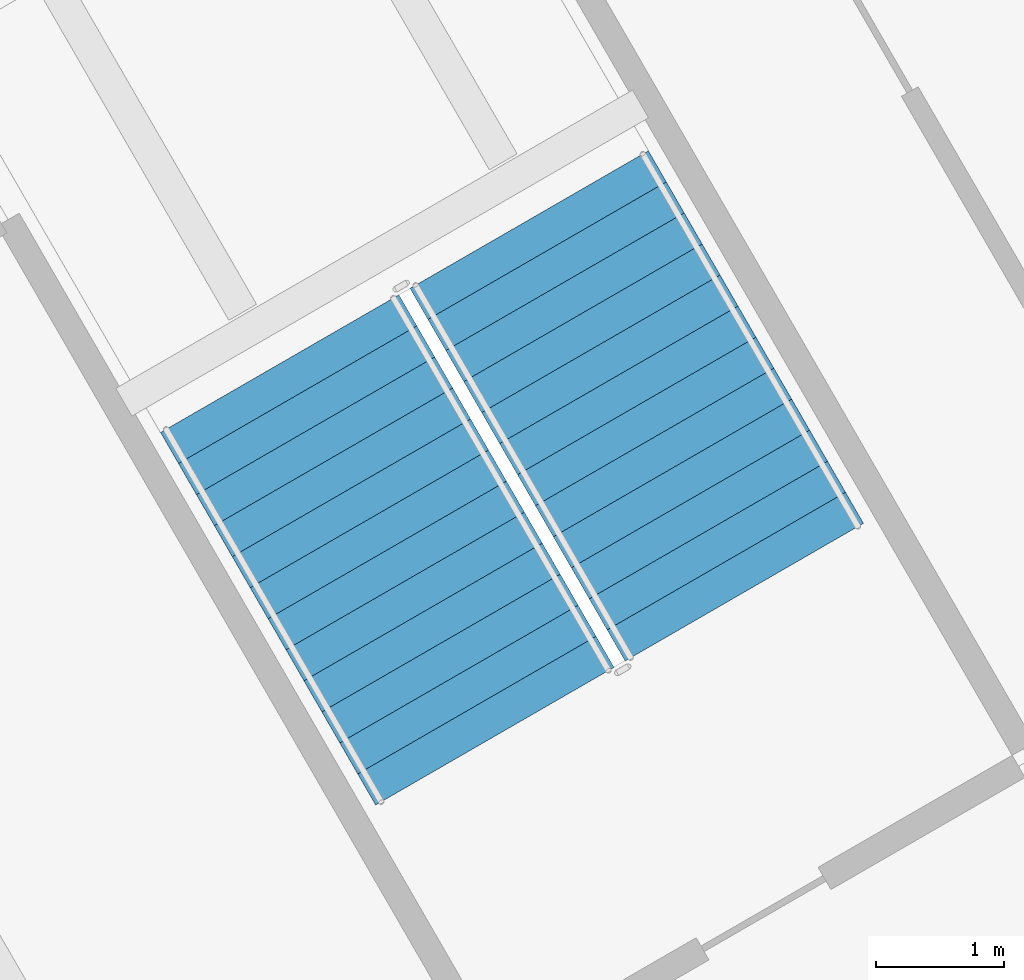
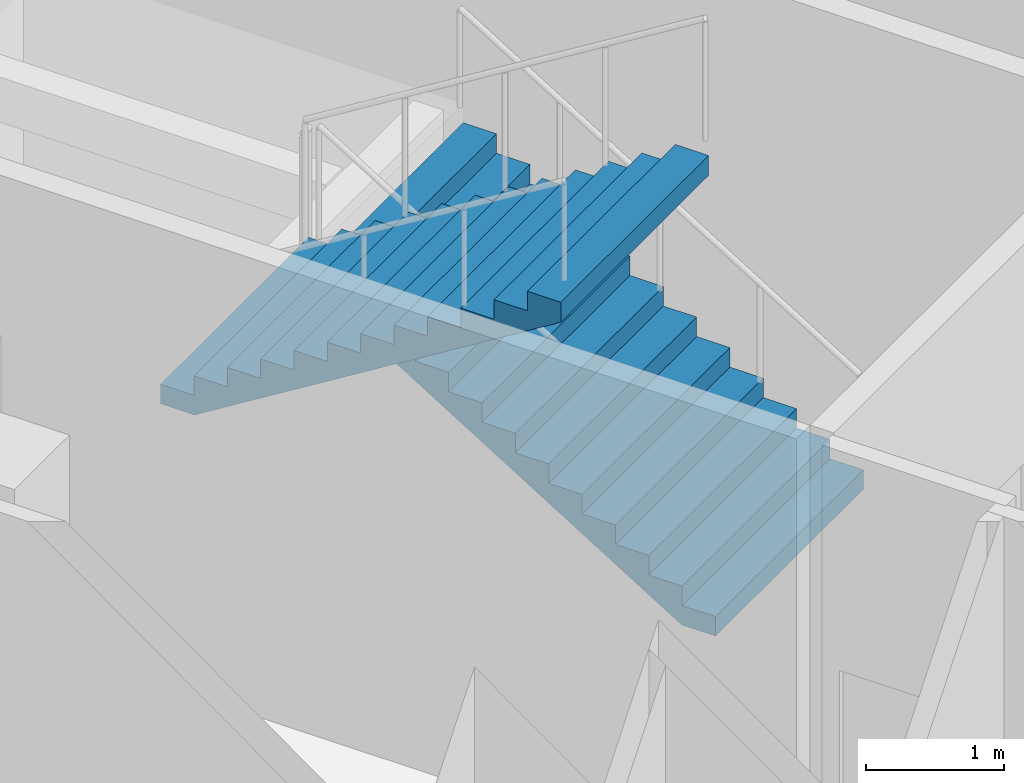
# One storey, part 9 of 21: 2 stair flights, 1 element without a shape of its own.
"""IFC4 building model written with IfcOpenShell, lengths in metres."""

from ifc_helpers import new_model, si_unit, direction, frame, origin, place, context, subcontext, project, spatial, triangles, material, type_object, element, aggregate, save


model = new_model("IFC4")

# Units and contexts
model_context = context("Model", 3, precision=1e-05, world=origin(), true_north=direction((0.0, 1.0)))
body_context = subcontext(model_context, "Body", "Model", "MODEL_VIEW")
ifc_project = project(units=[si_unit("LENGTHUNIT", "METRE"), si_unit("AREAUNIT", "SQUARE_METRE"), si_unit("VOLUMEUNIT", "CUBIC_METRE"), si_unit("PLANEANGLEUNIT", "RADIAN"), si_unit("MASSUNIT", "GRAM", prefix="KILO")], contexts=[model_context])

# Site, building, storey
site_placement = place(None, origin())
site = spatial("IfcSite", under=ifc_project, at=site_placement, CompositionType="ELEMENT")
building_placement = place(site_placement, origin())
building = spatial("IfcBuilding", under=site, at=building_placement, Name="Verdalira Terraces Hotel", CompositionType="ELEMENT")
storey_placement = place(building_placement, frame((0.0, 0.0, 19.0)))
storey = spatial("IfcBuildingStorey", under=building, at=storey_placement, Name="L03", CompositionType="ELEMENT", Elevation=19.0)

# Stair, stair flights
ifc_material_1 = material(Name="Concrete C40", Category="concrete")
stair_type = type_object("IfcStairType", Name="Podium stair 26 risers", PredefinedType="HALF_TURN_STAIR", material=ifc_material_1)
stair_placement = place(storey_placement, origin())
stair = element("IfcStair", 1, at=stair_placement, inside=storey, type_object=stair_type, Name="L03 Exit stair PS2", PredefinedType="HALF_TURN_STAIR")
ifc_material_2 = material(Name="Concrete C40", Category="concrete")
stair_flight_type = type_object("IfcStairFlightType", Name="Podium stair flight 26 risers", PredefinedType="STRAIGHT", material=ifc_material_2)
stair_flight_1_placement = place(storey_placement, frame((-27.056396, -16.487061, 0.0), z_axis=(0.0, 0.0, 1.0), x_axis=(-0.5, 0.866025404, 0.0)))
stair_flight_1 = element("IfcStairFlight", 2, at=stair_flight_1_placement, type_object=stair_flight_type, Name="PS2 flight 1", NumberOfRisers=13, NumberOfTreads=12, PredefinedType="STRAIGHT", RiserHeight=0.173076923, TreadLength=0.28, context=body_context, shape_type="Tessellation", body=[
    triangles([(0.0, 1.074951, 0.0), (0.285156, 1.074951, 0.0), (3.360107, 1.074951, 1.900635), (0.0, -1.074951, 0.0), (0.285156, -1.074951, 0.0), (3.360107, -1.074951, 1.900635), (3.360107, 1.074951, 2.076904), (3.080078, 1.074951, 2.076904), (3.360107, -1.074951, 2.076904), (3.080078, -1.074951, 2.076904), (3.080078, 1.074951, 1.903809), (3.080078, -1.074951, 1.903809), (2.800049, 1.074951, 1.903809), (2.800049, -1.074951, 1.903809), (2.800049, 1.074951, 1.730713), (2.800049, -1.074951, 1.730713), (2.52002, 1.074951, 1.730713), (2.52002, 1.074951, 1.557617), (2.52002, -1.074951, 1.730713), (2.52002, -1.074951, 1.557617), (2.23999, 1.074951, 1.557617), (2.23999, 1.074951, 1.384521), (2.23999, -1.074951, 1.557617), (2.23999, -1.074951, 1.384521), (1.959961, 1.074951, 1.384521), (1.959961, 1.074951, 1.211426), (1.959961, -1.074951, 1.384521), (1.959961, -1.074951, 1.211426), (1.679932, 1.074951, 1.211426), (1.679932, 1.074951, 1.038574), (1.679932, -1.074951, 1.211426), (1.679932, -1.074951, 1.038574), (1.399902, 1.074951, 1.038574), (1.399902, 1.074951, 0.865479), (1.399902, -1.074951, 1.038574), (1.399902, -1.074951, 0.865479), (1.120117, 1.074951, 0.865479), (1.120117, 1.074951, 0.692383), (1.120117, -1.074951, 0.865479), (1.120117, -1.074951, 0.692383), (0.840088, 1.074951, 0.692383), (0.840088, 1.074951, 0.519287), (0.840088, -1.074951, 0.692383), (0.840088, -1.074951, 0.519287), (0.560059, 1.074951, 0.519287), (0.560059, 1.074951, 0.346191), (0.560059, -1.074951, 0.519287), (0.560059, -1.074951, 0.346191), (0.280029, 1.074951, 0.346191), (0.280029, 1.074951, 0.173096), (0.280029, -1.074951, 0.346191), (0.280029, -1.074951, 0.173096), (0.0, 1.074951, 0.173096), (0.0, -1.074951, 0.173096), (0.0, -1.007767, 0.0), (0.0, -1.007767, 0.173096), (0.0, -0.940582, 0.0), (0.0, -0.940582, 0.173096), (0.0, -0.873398, 0.0), (0.0, -0.873398, 0.173096), (0.0, -0.806213, 0.0), (0.0, -0.806213, 0.173096), (0.0, -0.739029, 0.0), (0.0, -0.739029, 0.173096), (0.0, -0.671844, 0.0), (0.0, -0.671844, 0.173096), (0.0, -0.60466, 0.0), (0.0, -0.60466, 0.173096), (0.0, -0.537476, 0.0), (0.0, -0.537476, 0.173096), (0.0, -0.470291, 0.0), (0.0, -0.470291, 0.173096), (0.0, -0.403107, 0.0), (0.0, -0.403107, 0.173096), (0.0, -0.335922, 0.0), (0.0, -0.335922, 0.173096), (0.0, -0.268738, 0.0), (0.0, -0.268738, 0.173096), (0.0, -0.201553, 0.0), (0.0, -0.201553, 0.173096), (0.0, -0.134369, 0.0), (0.0, -0.134369, 0.173096), (0.0, -0.067184, 0.0), (0.0, -0.067184, 0.173096), (0.0, 0.0, 0.0), (0.0, 0.0, 0.173096), (0.0, 0.067184, 0.0), (0.0, 0.067184, 0.173096), (0.0, 0.134369, 0.0), (0.0, 0.134369, 0.173096), (0.0, 0.201553, 0.0), (0.0, 0.201553, 0.173096), (0.0, 0.268738, 0.0), (0.0, 0.268738, 0.173096), (0.0, 0.335922, 0.0), (0.0, 0.335922, 0.173096), (0.0, 0.403107, 0.0), (0.0, 0.403107, 0.173096), (0.0, 0.470291, 0.0), (0.0, 0.470291, 0.173096), (0.0, 0.537476, 0.0), (0.0, 0.537476, 0.173096), (0.0, 0.60466, 0.0), (0.0, 0.60466, 0.173096), (0.0, 0.671844, 0.0), (0.0, 0.671844, 0.173096), (0.0, 0.739029, 0.0), (0.0, 0.739029, 0.173096), (0.0, 0.806213, 0.0), (0.0, 0.806213, 0.173096), (0.0, 0.873398, 0.0), (0.0, 0.873398, 0.173096), (0.0, 0.940582, 0.0), (0.0, 0.940582, 0.173096), (0.0, 1.007767, 0.0), (0.0, 1.007767, 0.173096), (3.360107, -1.007767, 2.076904), (3.360107, -0.940582, 2.076904), (3.360107, -0.873398, 2.076904), (3.360107, -0.806213, 2.076904), (3.360107, -0.739029, 2.076904), (3.360107, -0.671844, 2.076904), (3.360107, -0.60466, 2.076904), (3.360107, -0.537476, 2.076904), (3.360107, -0.470291, 2.076904), (3.360107, -0.403107, 2.076904), (3.360107, -0.335922, 2.076904), (3.360107, -0.268738, 2.076904), (3.360107, -0.201553, 2.076904), (3.360107, -0.134369, 2.076904), (3.360107, -0.067184, 2.076904), (3.360107, 0.0, 2.076904), (3.360107, 0.067184, 2.076904), (3.360107, 0.134369, 2.076904), (3.360107, 0.201553, 2.076904), (3.360107, 0.268738, 2.076904), (3.360107, 0.335922, 2.076904), (3.360107, 0.403107, 2.076904), (3.360107, 0.470291, 2.076904), (3.360107, 0.537476, 2.076904), (3.360107, 0.60466, 2.076904), (3.360107, 0.671844, 2.076904), (3.360107, 0.739029, 2.076904), (3.360107, 0.806213, 2.076904), (3.360107, 0.873398, 2.076904), (3.360107, 0.940582, 2.076904), (3.360107, 1.007767, 2.076904), (3.360107, -1.007767, 1.900635), (3.360107, -0.940582, 1.900635), (3.360107, -0.873398, 1.900635), (3.360107, -0.806213, 1.900635), (3.360107, -0.739029, 1.900635), (3.360107, -0.671844, 1.900635), (3.360107, -0.60466, 1.900635), (3.360107, -0.537476, 1.900635), (3.360107, -0.470291, 1.900635), (3.360107, -0.403107, 1.900635), (3.360107, -0.335922, 1.900635), (3.360107, -0.268738, 1.900635), (3.360107, -0.201553, 1.900635), (3.360107, -0.134369, 1.900635), (3.360107, -0.067184, 1.900635), (3.360107, 0.0, 1.900635), (3.360107, 0.067184, 1.900635), (3.360107, 0.134369, 1.900635), (3.360107, 0.201553, 1.900635), (3.360107, 0.268738, 1.900635), (3.360107, 0.335922, 1.900635), (3.360107, 0.403107, 1.900635), (3.360107, 0.470291, 1.900635), (3.360107, 0.537476, 1.900635), (3.360107, 0.60466, 1.900635), (3.360107, 0.671844, 1.900635), (3.360107, 0.739029, 1.900635), (3.360107, 0.806213, 1.900635), (3.360107, 0.873398, 1.900635), (3.360107, 0.940582, 1.900635), (3.360107, 1.007767, 1.900635)], [[1, 3, 2], [4, 5, 6], [3, 8, 7], [6, 9, 10], [3, 11, 8], [6, 10, 12], [3, 13, 11], [6, 12, 14], [3, 15, 13], [6, 14, 16], [15, 18, 17], [16, 19, 20], [3, 18, 15], [6, 16, 20], [18, 22, 21], [20, 23, 24], [3, 22, 18], [6, 20, 24], [22, 26, 25], [24, 27, 28], [3, 26, 22], [6, 24, 28], [1, 26, 3], [4, 6, 28], [26, 30, 29], [28, 31, 32], [30, 34, 33], [32, 35, 36], [26, 34, 30], [28, 32, 36], [34, 38, 37], [36, 39, 40], [26, 38, 34], [28, 36, 40], [38, 42, 41], [40, 43, 44], [26, 42, 38], [28, 40, 44], [42, 46, 45], [44, 47, 48], [26, 46, 42], [28, 44, 48], [46, 50, 49], [48, 51, 52], [26, 50, 46], [28, 48, 52], [1, 50, 26], [4, 28, 52], [50, 1, 53], [52, 54, 4], [4, 56, 55], [4, 54, 56], [55, 58, 57], [55, 56, 58], [57, 60, 59], [57, 58, 60], [59, 62, 61], [59, 60, 62], [61, 64, 63], [61, 62, 64], [63, 66, 65], [63, 64, 66], [65, 68, 67], [65, 66, 68], [67, 70, 69], [67, 68, 70], [69, 72, 71], [69, 70, 72], [71, 74, 73], [71, 72, 74], [73, 76, 75], [73, 74, 76], [75, 78, 77], [75, 76, 78], [77, 80, 79], [77, 78, 80], [79, 82, 81], [79, 80, 82], [81, 84, 83], [81, 82, 84], [83, 86, 85], [83, 84, 86], [85, 88, 87], [85, 86, 88], [87, 90, 89], [87, 88, 90], [89, 92, 91], [89, 90, 92], [91, 94, 93], [91, 92, 94], [93, 96, 95], [93, 94, 96], [95, 98, 97], [95, 96, 98], [97, 100, 99], [97, 98, 100], [99, 102, 101], [99, 100, 102], [101, 104, 103], [101, 102, 104], [103, 106, 105], [103, 104, 106], [105, 108, 107], [105, 106, 108], [107, 110, 109], [107, 108, 110], [109, 112, 111], [109, 110, 112], [111, 114, 113], [111, 112, 114], [113, 116, 115], [113, 114, 116], [115, 53, 1], [115, 116, 53], [54, 52, 56], [56, 52, 58], [58, 52, 60], [60, 52, 62], [62, 52, 64], [64, 52, 66], [66, 52, 68], [68, 52, 70], [70, 52, 72], [72, 52, 74], [74, 52, 76], [76, 52, 78], [78, 52, 80], [80, 52, 82], [82, 52, 84], [84, 52, 86], [86, 52, 88], [88, 52, 90], [90, 52, 92], [92, 52, 94], [94, 52, 96], [96, 52, 98], [98, 52, 100], [100, 52, 102], [102, 52, 104], [104, 52, 106], [106, 52, 108], [108, 52, 110], [110, 52, 112], [112, 52, 114], [114, 52, 116], [116, 52, 53], [53, 52, 50], [52, 49, 50], [52, 51, 49], [51, 46, 49], [51, 48, 46], [48, 45, 46], [48, 47, 45], [47, 42, 45], [47, 44, 42], [44, 41, 42], [44, 43, 41], [43, 38, 41], [43, 40, 38], [40, 37, 38], [40, 39, 37], [39, 34, 37], [39, 36, 34], [36, 33, 34], [36, 35, 33], [35, 30, 33], [35, 32, 30], [32, 29, 30], [32, 31, 29], [31, 26, 29], [31, 28, 26], [28, 25, 26], [28, 27, 25], [27, 22, 25], [27, 24, 22], [24, 21, 22], [24, 23, 21], [23, 18, 21], [23, 20, 18], [20, 17, 18], [20, 19, 17], [19, 15, 17], [19, 16, 15], [16, 13, 15], [16, 14, 13], [14, 11, 13], [14, 12, 11], [12, 8, 11], [12, 10, 8], [9, 117, 10], [117, 118, 10], [118, 119, 10], [119, 120, 10], [120, 121, 10], [121, 122, 10], [122, 123, 10], [123, 124, 10], [124, 125, 10], [125, 126, 10], [126, 127, 10], [127, 128, 10], [128, 129, 10], [129, 130, 10], [130, 131, 10], [131, 132, 10], [132, 133, 10], [133, 134, 10], [134, 135, 10], [135, 136, 10], [136, 137, 10], [137, 138, 10], [138, 139, 10], [139, 140, 10], [140, 141, 10], [141, 142, 10], [142, 143, 10], [143, 144, 10], [144, 145, 10], [145, 146, 10], [146, 147, 10], [147, 7, 10], [7, 8, 10], [9, 148, 117], [9, 6, 148], [117, 149, 118], [117, 148, 149], [118, 150, 119], [118, 149, 150], [119, 151, 120], [119, 150, 151], [120, 152, 121], [120, 151, 152], [121, 153, 122], [121, 152, 153], [122, 154, 123], [122, 153, 154], [123, 155, 124], [123, 154, 155], [124, 156, 125], [124, 155, 156], [125, 157, 126], [125, 156, 157], [126, 158, 127], [126, 157, 158], [127, 159, 128], [127, 158, 159], [128, 160, 129], [128, 159, 160], [129, 161, 130], [129, 160, 161], [130, 162, 131], [130, 161, 162], [131, 163, 132], [131, 162, 163], [132, 164, 133], [132, 163, 164], [133, 165, 134], [133, 164, 165], [134, 166, 135], [134, 165, 166], [135, 167, 136], [135, 166, 167], [136, 168, 137], [136, 167, 168], [137, 169, 138], [137, 168, 169], [138, 170, 139], [138, 169, 170], [139, 171, 140], [139, 170, 171], [140, 172, 141], [140, 171, 172], [141, 173, 142], [141, 172, 173], [142, 174, 143], [142, 173, 174], [143, 175, 144], [143, 174, 175], [144, 176, 145], [144, 175, 176], [145, 177, 146], [145, 176, 177], [146, 178, 147], [146, 177, 178], [147, 3, 7], [147, 178, 3], [6, 5, 148], [148, 5, 149], [149, 5, 150], [150, 5, 151], [151, 5, 152], [152, 5, 153], [153, 5, 154], [154, 5, 155], [155, 5, 156], [156, 5, 157], [157, 5, 158], [158, 5, 159], [159, 5, 160], [160, 5, 161], [161, 5, 162], [162, 5, 163], [163, 5, 164], [164, 5, 165], [165, 5, 166], [166, 5, 167], [167, 5, 168], [168, 5, 169], [169, 5, 170], [170, 5, 171], [171, 5, 172], [172, 5, 173], [173, 5, 174], [174, 5, 175], [175, 5, 176], [176, 5, 177], [177, 5, 178], [178, 5, 3], [3, 5, 2], [4, 55, 5], [55, 57, 5], [57, 59, 5], [59, 61, 5], [61, 63, 5], [63, 65, 5], [65, 67, 5], [67, 69, 5], [69, 71, 5], [71, 73, 5], [73, 75, 5], [75, 77, 5], [77, 79, 5], [79, 81, 5], [81, 83, 5], [83, 85, 5], [85, 87, 5], [87, 89, 5], [89, 91, 5], [91, 93, 5], [93, 95, 5], [95, 97, 5], [97, 99, 5], [99, 101, 5], [101, 103, 5], [103, 105, 5], [105, 107, 5], [107, 109, 5], [109, 111, 5], [111, 113, 5], [113, 115, 5], [115, 1, 5], [1, 2, 5]], closed=True),
])
stair_flight_2_placement = place(storey_placement, frame((-30.684814, -14.702148, 2.25), z_axis=(0.0, 0.0, 1.0), x_axis=(0.5, -0.866025404, 0.0)))
stair_flight_2 = element("IfcStairFlight", 3, at=stair_flight_2_placement, type_object=stair_flight_type, Name="PS2 flight 2", NumberOfRisers=13, NumberOfTreads=12, PredefinedType="STRAIGHT", RiserHeight=0.173076923, TreadLength=0.28, context=body_context, shape_type="Tessellation", body=[
    triangles([(0.0, 1.074951, 0.0), (0.285156, 1.074951, 0.0), (3.360107, 1.074951, 1.900635), (0.0, -1.074951, 0.0), (0.285156, -1.074951, 0.0), (3.360107, -1.074951, 1.900635), (3.360107, 1.074951, 2.076904), (3.080078, 1.074951, 2.076904), (3.360107, -1.074951, 2.076904), (3.080078, -1.074951, 2.076904), (3.080078, 1.074951, 1.903809), (3.080078, -1.074951, 1.903809), (2.800049, 1.074951, 1.903809), (2.800049, -1.074951, 1.903809), (2.800049, 1.074951, 1.730713), (2.800049, -1.074951, 1.730713), (2.52002, 1.074951, 1.730713), (2.52002, 1.074951, 1.557617), (2.52002, -1.074951, 1.730713), (2.52002, -1.074951, 1.557617), (2.23999, 1.074951, 1.557617), (2.23999, 1.074951, 1.384521), (2.23999, -1.074951, 1.557617), (2.23999, -1.074951, 1.384521), (1.959961, 1.074951, 1.384521), (1.959961, 1.074951, 1.211426), (1.959961, -1.074951, 1.384521), (1.959961, -1.074951, 1.211426), (1.679932, 1.074951, 1.211426), (1.679932, 1.074951, 1.038574), (1.679932, -1.074951, 1.211426), (1.679932, -1.074951, 1.038574), (1.399902, 1.074951, 1.038574), (1.399902, 1.074951, 0.865479), (1.399902, -1.074951, 1.038574), (1.399902, -1.074951, 0.865479), (1.120117, 1.074951, 0.865479), (1.120117, 1.074951, 0.692383), (1.120117, -1.074951, 0.865479), (1.120117, -1.074951, 0.692383), (0.840088, 1.074951, 0.692383), (0.840088, 1.074951, 0.519287), (0.840088, -1.074951, 0.692383), (0.840088, -1.074951, 0.519287), (0.560059, 1.074951, 0.519287), (0.560059, 1.074951, 0.346191), (0.560059, -1.074951, 0.519287), (0.560059, -1.074951, 0.346191), (0.280029, 1.074951, 0.346191), (0.280029, 1.074951, 0.173096), (0.280029, -1.074951, 0.346191), (0.280029, -1.074951, 0.173096), (0.0, 1.074951, 0.173096), (0.0, -1.074951, 0.173096), (0.0, -1.007767, 0.0), (0.0, -1.007767, 0.173096), (0.0, -0.940582, 0.0), (0.0, -0.940582, 0.173096), (0.0, -0.873398, 0.0), (0.0, -0.873398, 0.173096), (0.0, -0.806213, 0.0), (0.0, -0.806213, 0.173096), (0.0, -0.739029, 0.0), (0.0, -0.739029, 0.173096), (0.0, -0.671844, 0.0), (0.0, -0.671844, 0.173096), (0.0, -0.60466, 0.0), (0.0, -0.60466, 0.173096), (0.0, -0.537476, 0.0), (0.0, -0.537476, 0.173096), (0.0, -0.470291, 0.0), (0.0, -0.470291, 0.173096), (0.0, -0.403107, 0.0), (0.0, -0.403107, 0.173096), (0.0, -0.335922, 0.0), (0.0, -0.335922, 0.173096), (0.0, -0.268738, 0.0), (0.0, -0.268738, 0.173096), (0.0, -0.201553, 0.0), (0.0, -0.201553, 0.173096), (0.0, -0.134369, 0.0), (0.0, -0.134369, 0.173096), (0.0, -0.067184, 0.0), (0.0, -0.067184, 0.173096), (0.0, 0.0, 0.0), (0.0, 0.0, 0.173096), (0.0, 0.067184, 0.0), (0.0, 0.067184, 0.173096), (0.0, 0.134369, 0.0), (0.0, 0.134369, 0.173096), (0.0, 0.201553, 0.0), (0.0, 0.201553, 0.173096), (0.0, 0.268738, 0.0), (0.0, 0.268738, 0.173096), (0.0, 0.335922, 0.0), (0.0, 0.335922, 0.173096), (0.0, 0.403107, 0.0), (0.0, 0.403107, 0.173096), (0.0, 0.470291, 0.0), (0.0, 0.470291, 0.173096), (0.0, 0.537476, 0.0), (0.0, 0.537476, 0.173096), (0.0, 0.60466, 0.0), (0.0, 0.60466, 0.173096), (0.0, 0.671844, 0.0), (0.0, 0.671844, 0.173096), (0.0, 0.739029, 0.0), (0.0, 0.739029, 0.173096), (0.0, 0.806213, 0.0), (0.0, 0.806213, 0.173096), (0.0, 0.873398, 0.0), (0.0, 0.873398, 0.173096), (0.0, 0.940582, 0.0), (0.0, 0.940582, 0.173096), (0.0, 1.007767, 0.0), (0.0, 1.007767, 0.173096), (3.360107, -1.007767, 2.076904), (3.360107, -0.940582, 2.076904), (3.360107, -0.873398, 2.076904), (3.360107, -0.806213, 2.076904), (3.360107, -0.739029, 2.076904), (3.360107, -0.671844, 2.076904), (3.360107, -0.60466, 2.076904), (3.360107, -0.537476, 2.076904), (3.360107, -0.470291, 2.076904), (3.360107, -0.403107, 2.076904), (3.360107, -0.335922, 2.076904), (3.360107, -0.268738, 2.076904), (3.360107, -0.201553, 2.076904), (3.360107, -0.134369, 2.076904), (3.360107, -0.067184, 2.076904), (3.360107, 0.0, 2.076904), (3.360107, 0.067184, 2.076904), (3.360107, 0.134369, 2.076904), (3.360107, 0.201553, 2.076904), (3.360107, 0.268738, 2.076904), (3.360107, 0.335922, 2.076904), (3.360107, 0.403107, 2.076904), (3.360107, 0.470291, 2.076904), (3.360107, 0.537476, 2.076904), (3.360107, 0.60466, 2.076904), (3.360107, 0.671844, 2.076904), (3.360107, 0.739029, 2.076904), (3.360107, 0.806213, 2.076904), (3.360107, 0.873398, 2.076904), (3.360107, 0.940582, 2.076904), (3.360107, 1.007767, 2.076904), (3.360107, -1.007767, 1.900635), (3.360107, -0.940582, 1.900635), (3.360107, -0.873398, 1.900635), (3.360107, -0.806213, 1.900635), (3.360107, -0.739029, 1.900635), (3.360107, -0.671844, 1.900635), (3.360107, -0.60466, 1.900635), (3.360107, -0.537476, 1.900635), (3.360107, -0.470291, 1.900635), (3.360107, -0.403107, 1.900635), (3.360107, -0.335922, 1.900635), (3.360107, -0.268738, 1.900635), (3.360107, -0.201553, 1.900635), (3.360107, -0.134369, 1.900635), (3.360107, -0.067184, 1.900635), (3.360107, 0.0, 1.900635), (3.360107, 0.067184, 1.900635), (3.360107, 0.134369, 1.900635), (3.360107, 0.201553, 1.900635), (3.360107, 0.268738, 1.900635), (3.360107, 0.335922, 1.900635), (3.360107, 0.403107, 1.900635), (3.360107, 0.470291, 1.900635), (3.360107, 0.537476, 1.900635), (3.360107, 0.60466, 1.900635), (3.360107, 0.671844, 1.900635), (3.360107, 0.739029, 1.900635), (3.360107, 0.806213, 1.900635), (3.360107, 0.873398, 1.900635), (3.360107, 0.940582, 1.900635), (3.360107, 1.007767, 1.900635)], [[1, 3, 2], [4, 5, 6], [3, 8, 7], [6, 9, 10], [3, 11, 8], [6, 10, 12], [3, 13, 11], [6, 12, 14], [3, 15, 13], [6, 14, 16], [15, 18, 17], [16, 19, 20], [3, 18, 15], [6, 16, 20], [18, 22, 21], [20, 23, 24], [3, 22, 18], [6, 20, 24], [22, 26, 25], [24, 27, 28], [3, 26, 22], [6, 24, 28], [1, 26, 3], [4, 6, 28], [26, 30, 29], [28, 31, 32], [30, 34, 33], [32, 35, 36], [26, 34, 30], [28, 32, 36], [34, 38, 37], [36, 39, 40], [26, 38, 34], [28, 36, 40], [38, 42, 41], [40, 43, 44], [26, 42, 38], [28, 40, 44], [42, 46, 45], [44, 47, 48], [26, 46, 42], [28, 44, 48], [46, 50, 49], [48, 51, 52], [26, 50, 46], [28, 48, 52], [1, 50, 26], [4, 28, 52], [50, 1, 53], [52, 54, 4], [4, 56, 55], [4, 54, 56], [55, 58, 57], [55, 56, 58], [57, 60, 59], [57, 58, 60], [59, 62, 61], [59, 60, 62], [61, 64, 63], [61, 62, 64], [63, 66, 65], [63, 64, 66], [65, 68, 67], [65, 66, 68], [67, 70, 69], [67, 68, 70], [69, 72, 71], [69, 70, 72], [71, 74, 73], [71, 72, 74], [73, 76, 75], [73, 74, 76], [75, 78, 77], [75, 76, 78], [77, 80, 79], [77, 78, 80], [79, 82, 81], [79, 80, 82], [81, 84, 83], [81, 82, 84], [83, 86, 85], [83, 84, 86], [85, 88, 87], [85, 86, 88], [87, 90, 89], [87, 88, 90], [89, 92, 91], [89, 90, 92], [91, 94, 93], [91, 92, 94], [93, 96, 95], [93, 94, 96], [95, 98, 97], [95, 96, 98], [97, 100, 99], [97, 98, 100], [99, 102, 101], [99, 100, 102], [101, 104, 103], [101, 102, 104], [103, 106, 105], [103, 104, 106], [105, 108, 107], [105, 106, 108], [107, 110, 109], [107, 108, 110], [109, 112, 111], [109, 110, 112], [111, 114, 113], [111, 112, 114], [113, 116, 115], [113, 114, 116], [115, 53, 1], [115, 116, 53], [54, 52, 56], [56, 52, 58], [58, 52, 60], [60, 52, 62], [62, 52, 64], [64, 52, 66], [66, 52, 68], [68, 52, 70], [70, 52, 72], [72, 52, 74], [74, 52, 76], [76, 52, 78], [78, 52, 80], [80, 52, 82], [82, 52, 84], [84, 52, 86], [86, 52, 88], [88, 52, 90], [90, 52, 92], [92, 52, 94], [94, 52, 96], [96, 52, 98], [98, 52, 100], [100, 52, 102], [102, 52, 104], [104, 52, 106], [106, 52, 108], [108, 52, 110], [110, 52, 112], [112, 52, 114], [114, 52, 116], [116, 52, 53], [53, 52, 50], [52, 49, 50], [52, 51, 49], [51, 46, 49], [51, 48, 46], [48, 45, 46], [48, 47, 45], [47, 42, 45], [47, 44, 42], [44, 41, 42], [44, 43, 41], [43, 38, 41], [43, 40, 38], [40, 37, 38], [40, 39, 37], [39, 34, 37], [39, 36, 34], [36, 33, 34], [36, 35, 33], [35, 30, 33], [35, 32, 30], [32, 29, 30], [32, 31, 29], [31, 26, 29], [31, 28, 26], [28, 25, 26], [28, 27, 25], [27, 22, 25], [27, 24, 22], [24, 21, 22], [24, 23, 21], [23, 18, 21], [23, 20, 18], [20, 17, 18], [20, 19, 17], [19, 15, 17], [19, 16, 15], [16, 13, 15], [16, 14, 13], [14, 11, 13], [14, 12, 11], [12, 8, 11], [12, 10, 8], [9, 117, 10], [117, 118, 10], [118, 119, 10], [119, 120, 10], [120, 121, 10], [121, 122, 10], [122, 123, 10], [123, 124, 10], [124, 125, 10], [125, 126, 10], [126, 127, 10], [127, 128, 10], [128, 129, 10], [129, 130, 10], [130, 131, 10], [131, 132, 10], [132, 133, 10], [133, 134, 10], [134, 135, 10], [135, 136, 10], [136, 137, 10], [137, 138, 10], [138, 139, 10], [139, 140, 10], [140, 141, 10], [141, 142, 10], [142, 143, 10], [143, 144, 10], [144, 145, 10], [145, 146, 10], [146, 147, 10], [147, 7, 10], [7, 8, 10], [9, 148, 117], [9, 6, 148], [117, 149, 118], [117, 148, 149], [118, 150, 119], [118, 149, 150], [119, 151, 120], [119, 150, 151], [120, 152, 121], [120, 151, 152], [121, 153, 122], [121, 152, 153], [122, 154, 123], [122, 153, 154], [123, 155, 124], [123, 154, 155], [124, 156, 125], [124, 155, 156], [125, 157, 126], [125, 156, 157], [126, 158, 127], [126, 157, 158], [127, 159, 128], [127, 158, 159], [128, 160, 129], [128, 159, 160], [129, 161, 130], [129, 160, 161], [130, 162, 131], [130, 161, 162], [131, 163, 132], [131, 162, 163], [132, 164, 133], [132, 163, 164], [133, 165, 134], [133, 164, 165], [134, 166, 135], [134, 165, 166], [135, 167, 136], [135, 166, 167], [136, 168, 137], [136, 167, 168], [137, 169, 138], [137, 168, 169], [138, 170, 139], [138, 169, 170], [139, 171, 140], [139, 170, 171], [140, 172, 141], [140, 171, 172], [141, 173, 142], [141, 172, 173], [142, 174, 143], [142, 173, 174], [143, 175, 144], [143, 174, 175], [144, 176, 145], [144, 175, 176], [145, 177, 146], [145, 176, 177], [146, 178, 147], [146, 177, 178], [147, 3, 7], [147, 178, 3], [6, 5, 148], [148, 5, 149], [149, 5, 150], [150, 5, 151], [151, 5, 152], [152, 5, 153], [153, 5, 154], [154, 5, 155], [155, 5, 156], [156, 5, 157], [157, 5, 158], [158, 5, 159], [159, 5, 160], [160, 5, 161], [161, 5, 162], [162, 5, 163], [163, 5, 164], [164, 5, 165], [165, 5, 166], [166, 5, 167], [167, 5, 168], [168, 5, 169], [169, 5, 170], [170, 5, 171], [171, 5, 172], [172, 5, 173], [173, 5, 174], [174, 5, 175], [175, 5, 176], [176, 5, 177], [177, 5, 178], [178, 5, 3], [3, 5, 2], [4, 55, 5], [55, 57, 5], [57, 59, 5], [59, 61, 5], [61, 63, 5], [63, 65, 5], [65, 67, 5], [67, 69, 5], [69, 71, 5], [71, 73, 5], [73, 75, 5], [75, 77, 5], [77, 79, 5], [79, 81, 5], [81, 83, 5], [83, 85, 5], [85, 87, 5], [87, 89, 5], [89, 91, 5], [91, 93, 5], [93, 95, 5], [95, 97, 5], [97, 99, 5], [99, 101, 5], [101, 103, 5], [103, 105, 5], [105, 107, 5], [107, 109, 5], [109, 111, 5], [111, 113, 5], [113, 115, 5], [115, 1, 5], [1, 2, 5]], closed=True),
])
aggregate(stair, [stair_flight_1, stair_flight_2])

save(model, "model.ifc")
